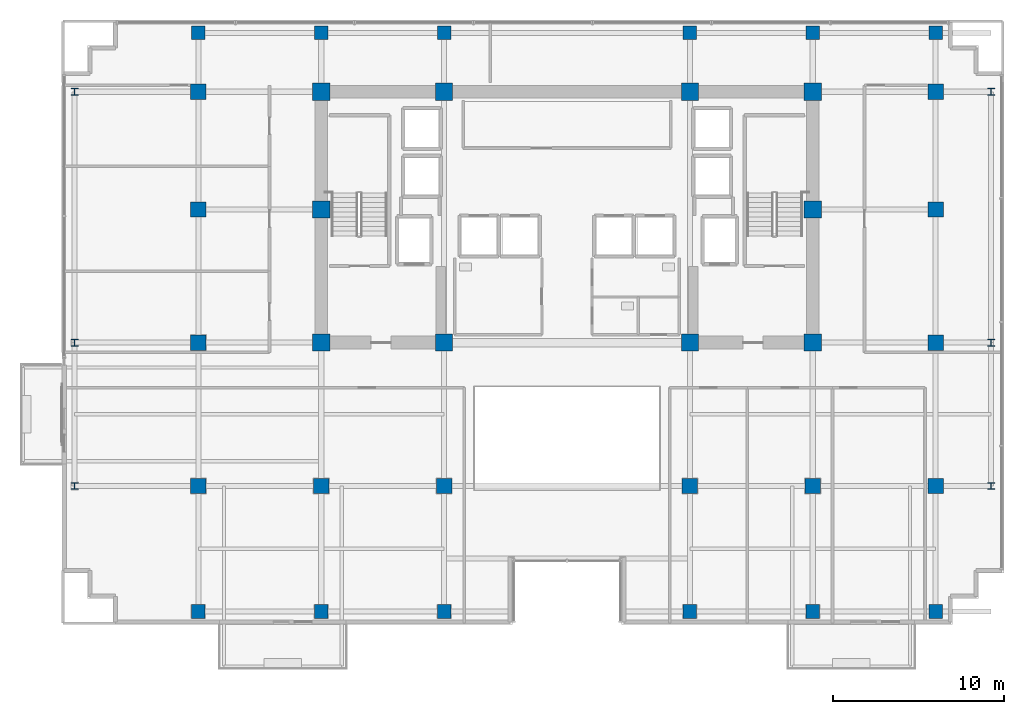
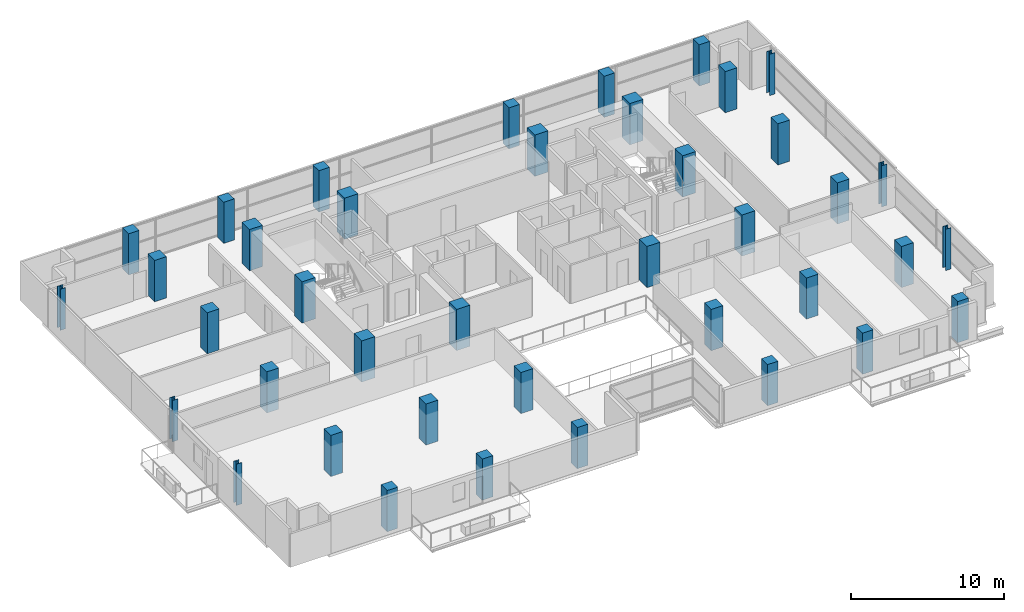
# One storey, part 1 of 28: 40 columns.
"""IFC4 building model written with IfcOpenShell, lengths in metres."""

from ifc_helpers import new_model, si_unit, direction, frame, origin, origin_2d, place, context, subcontext, project, spatial, rectangle, i_section, extrude, material, material_profile, profile_set, type_object, element, save


model = new_model("IFC4")

# Units and contexts
model_context = context("Model", 3, precision=1e-05, world=origin(), true_north=direction((0.0, 1.0)))
body_context = subcontext(model_context, "Body", "Model", "MODEL_VIEW")
ifc_project = project(units=[si_unit("LENGTHUNIT", "METRE"), si_unit("AREAUNIT", "SQUARE_METRE"), si_unit("VOLUMEUNIT", "CUBIC_METRE"), si_unit("PLANEANGLEUNIT", "RADIAN"), si_unit("MASSUNIT", "GRAM", prefix="KILO")], contexts=[model_context])

# Site, building, storey
site_placement = place(None, origin())
site = spatial("IfcSite", under=ifc_project, at=site_placement, CompositionType="ELEMENT")
building_placement = place(site_placement, origin())
building = spatial("IfcBuilding", under=site, at=building_placement, Name="Zarnakvel Exchange Tower", CompositionType="ELEMENT")
storey_placement = place(building_placement, frame((0.0, 0.0, 103.300048828125)))
storey = spatial("IfcBuildingStorey", under=building, at=storey_placement, Name="L28", CompositionType="ELEMENT", Elevation=103.300048828125)

# Columns
ifc_material_1 = material(Name="Concrete C60/75", Category="concrete")
ifc_material_profile_1 = material_profile(ifc_material_1, rectangle(XDim=1.0, YDim=1.0, at=origin_2d()))
ifc_profile_set_1 = profile_set([ifc_material_profile_1], Name="Concrete C60/75")
column_type_1 = type_object("IfcColumnType", Name="CC-02", PredefinedType="COLUMN", material=ifc_profile_set_1)
for number, where, z_axis, x_axis, name in (
    (1, (-14.39990234375, -1.199951171875, 0.0), (0.0, 0.0, 1.0), (1.0, 0.0, 0.0), "L28 Column C-4D (CC-02)"),
    (2, (-7.199951171875, -1.199951171875, 0.0), (0.0, 0.0, 1.0), (1.0, 0.0, 0.0), "L28 Column C-5D (CC-02)"),
    (3, (7.199951171875, -1.199951171875, 0.0), (0.0, 0.0, 1.0), (1.0, 0.0, 0.0), "L28 Column C-8D (CC-02)"),
    (4, (14.39990234375, -1.199951171875, 0.0), (0.0, 0.0, 1.0), (1.0, 0.0, 0.0), "L28 Column C-9D (CC-02)"),
    (5, (-14.39990234375, 6.60009765625, 0.0), (0.0, 0.0, 1.0), (1.0, 0.0, 0.0), "L28 Column C-4E (CC-02)"),
    (6, (14.39990234375, 6.60009765625, 0.0), (0.0, 0.0, 1.0), (1.0, 0.0, 0.0), "L28 Column C-9E (CC-02)"),
    (7, (-14.39990234375, 13.5, 0.0), (0.0, 0.0, 1.0), (1.0, 0.0, 0.0), "L28 Column C-4F (CC-02)"),
    (8, (-7.199951171875, 13.5, 0.0), (0.0, 0.0, 1.0), (1.0, 0.0, 0.0), "L28 Column C-5F (CC-02)"),
    (9, (7.199951171875, 13.5, 0.0), (0.0, 0.0, 1.0), (1.0, 0.0, 0.0), "L28 Column C-8F (CC-02)"),
    (10, (14.39990234375, 13.5, 0.0), (0.0, 0.0, 1.0), (1.0, 0.0, 0.0), "L28 Column C-9F (CC-02)"),
):
    element("IfcColumn", number, at=place(storey_placement, frame(where, z_axis=z_axis, x_axis=x_axis)), inside=storey, type_object=column_type_1, Name=name, PredefinedType="COLUMN", context=body_context, shape_type="SweptSolid", body=[
        extrude(rectangle(XDim=1.0, YDim=1.0, at=origin_2d()), origin(), (0.0, 0.0, 1.0), 3.300048828125),
    ])
ifc_material_2 = material(Name="Steel S355", Category="steel")
ifc_material_profile_2 = material_profile(ifc_material_2, i_section(OverallWidth=0.404052734375, OverallDepth=0.406982421875, WebThickness=0.0224609375, FlangeThickness=0.031982421875, FilletRadius=0.014892578125, at=origin_2d()))
ifc_profile_set_2 = profile_set([ifc_material_profile_2], Name="Steel S355")
column_type_2 = type_object("IfcColumnType", Name="SC-02", PredefinedType="COLUMN", material=ifc_profile_set_2)
for number, where, z_axis, x_axis, name in (
    (11, (-28.85009765625, -9.60009765625, 0.0), (0.0, 0.0, 1.0), (1.0, 0.0, 0.0), "L28 Column TW-C (SC-02)"),
    (12, (24.85009765625, -9.60009765625, 0.0), (0.0, 0.0, 1.0), (1.0, 0.0, 0.0), "L28 Column TE-C (SC-02)"),
    (13, (-28.85009765625, -1.199951171875, 0.0), (0.0, 0.0, 1.0), (1.0, 0.0, 0.0), "L28 Column TW-D (SC-02)"),
    (14, (24.85009765625, -1.199951171875, 0.0), (0.0, 0.0, 1.0), (1.0, 0.0, 0.0), "L28 Column TE-D (SC-02)"),
    (15, (-28.85009765625, 13.5, 0.0), (0.0, 0.0, 1.0), (1.0, 0.0, 0.0), "L28 Column TW-F (SC-02)"),
    (16, (24.85009765625, 13.5, 0.0), (0.0, 0.0, 1.0), (1.0, 0.0, 0.0), "L28 Column TE-F (SC-02)"),
):
    element("IfcColumn", number, at=place(storey_placement, frame(where, z_axis=z_axis, x_axis=x_axis)), inside=storey, type_object=column_type_2, Name=name, PredefinedType="COLUMN", context=body_context, shape_type="SweptSolid", body=[
        extrude(i_section(OverallWidth=0.404052734375, OverallDepth=0.406982421875, WebThickness=0.0224609375, FlangeThickness=0.031982421875, FilletRadius=0.014892578125, at=origin_2d()), origin(), (0.0, 0.0, 1.0), 3.300048828125),
    ])
ifc_material_profile_3 = material_profile(ifc_material_1, rectangle(XDim=0.89990234375, YDim=0.89990234375, at=origin_2d()))
ifc_profile_set_3 = profile_set([ifc_material_profile_3], Name="Concrete C60/75")
column_type_3 = type_object("IfcColumnType", Name="TC-02", PredefinedType="COLUMN", material=ifc_profile_set_3)
for number, where, z_axis, x_axis, name in (
    (17, (-14.39990234375, -9.60009765625, 0.0), (0.0, 0.0, 1.0), (1.0, 0.0, 0.0), "L28 Column T-4C (TC-02)"),
    (18, (-7.199951171875, -9.60009765625, 0.0), (0.0, 0.0, 1.0), (1.0, 0.0, 0.0), "L28 Column T-5C (TC-02)"),
    (19, (7.199951171875, -9.60009765625, 0.0), (0.0, 0.0, 1.0), (1.0, 0.0, 0.0), "L28 Column T-8C (TC-02)"),
    (20, (14.39990234375, -9.60009765625, 0.0), (0.0, 0.0, 1.0), (1.0, 0.0, 0.0), "L28 Column T-9C (TC-02)"),
    (21, (-21.60009765625, -9.60009765625, 0.0), (0.0, 0.0, 1.0), (1.0, 0.0, 0.0), "L28 Column T-3C (TC-02)"),
    (22, (-21.60009765625, -1.199951171875, 0.0), (0.0, 0.0, 1.0), (1.0, 0.0, 0.0), "L28 Column T-3D (TC-02)"),
    (23, (-21.60009765625, 6.60009765625, 0.0), (0.0, 0.0, 1.0), (1.0, 0.0, 0.0), "L28 Column T-3E (TC-02)"),
    (24, (-21.60009765625, 13.5, 0.0), (0.0, 0.0, 1.0), (1.0, 0.0, 0.0), "L28 Column T-3F (TC-02)"),
    (25, (21.60009765625, -9.60009765625, 0.0), (0.0, 0.0, 1.0), (1.0, 0.0, 0.0), "L28 Column T-10C (TC-02)"),
    (26, (21.60009765625, -1.199951171875, 0.0), (0.0, 0.0, 1.0), (1.0, 0.0, 0.0), "L28 Column T-10D (TC-02)"),
    (27, (21.60009765625, 6.60009765625, 0.0), (0.0, 0.0, 1.0), (1.0, 0.0, 0.0), "L28 Column T-10E (TC-02)"),
    (28, (21.60009765625, 13.5, 0.0), (0.0, 0.0, 1.0), (1.0, 0.0, 0.0), "L28 Column T-10F (TC-02)"),
):
    element("IfcColumn", number, at=place(storey_placement, frame(where, z_axis=z_axis, x_axis=x_axis)), inside=storey, type_object=column_type_3, Name=name, PredefinedType="COLUMN", context=body_context, shape_type="SweptSolid", body=[
        extrude(rectangle(XDim=0.89990234375, YDim=0.89990234375, at=origin_2d()), origin(), (0.0, 0.0, 1.0), 3.300048828125),
    ])
ifc_material_profile_4 = material_profile(ifc_material_1, rectangle(XDim=0.800048828125, YDim=0.800048828125, at=origin_2d()))
ifc_profile_set_4 = profile_set([ifc_material_profile_4], Name="Concrete C60/75")
column_type_4 = type_object("IfcColumnType", Name="TC-03", PredefinedType="COLUMN", material=ifc_profile_set_4)
for number, where, z_axis, x_axis, name in (
    (29, (-14.39990234375, -16.949951171875, 0.0), (0.0, 0.0, 1.0), (1.0, 0.0, 0.0), "L28 Column TS-4 (TC-03)"),
    (30, (-14.39990234375, 16.949951171875, 0.0), (0.0, 0.0, 1.0), (1.0, 0.0, 0.0), "L28 Column TN-4 (TC-03)"),
    (31, (-7.199951171875, -16.949951171875, 0.0), (0.0, 0.0, 1.0), (1.0, 0.0, 0.0), "L28 Column TS-5 (TC-03)"),
    (32, (-7.199951171875, 16.949951171875, 0.0), (0.0, 0.0, 1.0), (1.0, 0.0, 0.0), "L28 Column TN-5 (TC-03)"),
    (33, (7.199951171875, -16.949951171875, 0.0), (0.0, 0.0, 1.0), (1.0, 0.0, 0.0), "L28 Column TS-8 (TC-03)"),
    (34, (7.199951171875, 16.949951171875, 0.0), (0.0, 0.0, 1.0), (1.0, 0.0, 0.0), "L28 Column TN-8 (TC-03)"),
    (35, (14.39990234375, -16.949951171875, 0.0), (0.0, 0.0, 1.0), (1.0, 0.0, 0.0), "L28 Column TS-9 (TC-03)"),
    (36, (14.39990234375, 16.949951171875, 0.0), (0.0, 0.0, 1.0), (1.0, 0.0, 0.0), "L28 Column TN-9 (TC-03)"),
    (37, (-21.60009765625, -16.949951171875, 0.0), (0.0, 0.0, 1.0), (1.0, 0.0, 0.0), "L28 Column TS-3 (TC-03)"),
    (38, (-21.60009765625, 16.949951171875, 0.0), (0.0, 0.0, 1.0), (1.0, 0.0, 0.0), "L28 Column TN-3 (TC-03)"),
    (39, (21.60009765625, -16.949951171875, 0.0), (0.0, 0.0, 1.0), (1.0, 0.0, 0.0), "L28 Column TS-10 (TC-03)"),
    (40, (21.60009765625, 16.949951171875, 0.0), (0.0, 0.0, 1.0), (1.0, 0.0, 0.0), "L28 Column TN-10 (TC-03)"),
):
    element("IfcColumn", number, at=place(storey_placement, frame(where, z_axis=z_axis, x_axis=x_axis)), inside=storey, type_object=column_type_4, Name=name, PredefinedType="COLUMN", context=body_context, shape_type="SweptSolid", body=[
        extrude(rectangle(XDim=0.800048828125, YDim=0.800048828125, at=origin_2d()), origin(), (0.0, 0.0, 1.0), 3.300048828125),
    ])

save(model, "model.ifc")
